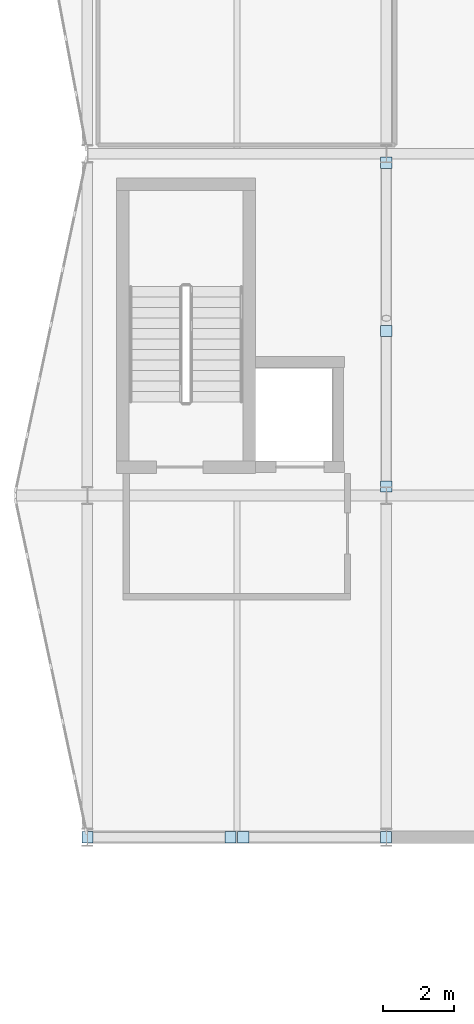
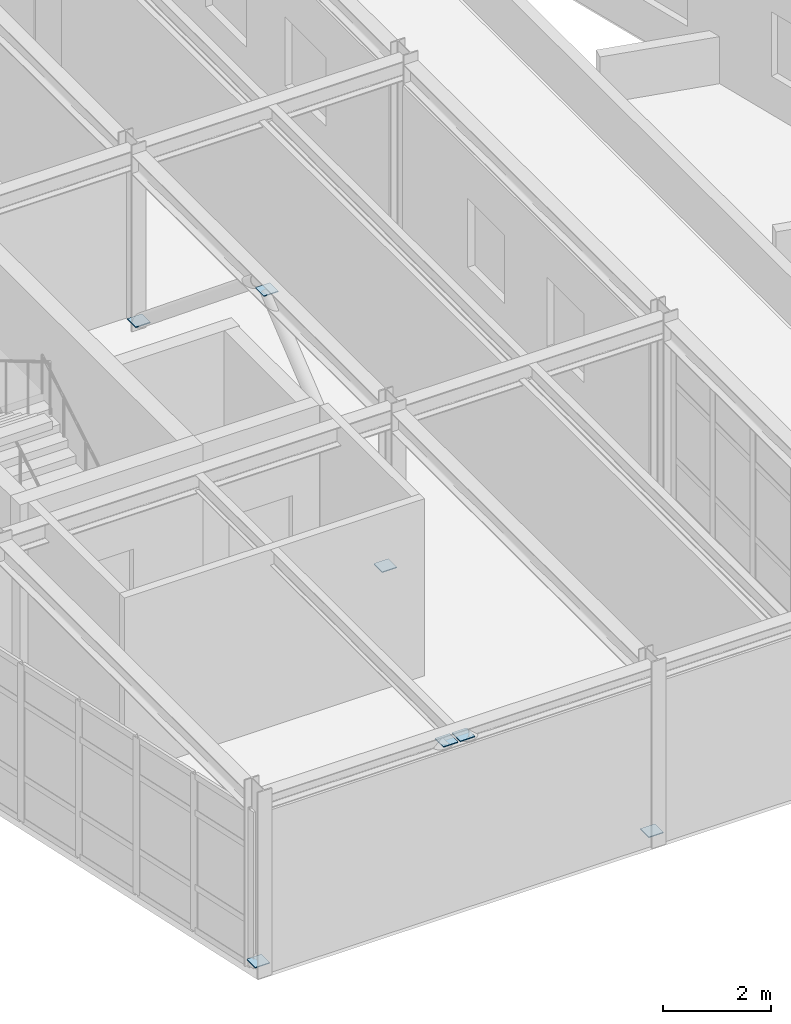
# One storey, part 52 of 64: 7 plates.
"""IFC4 building model written with IfcOpenShell, lengths in metres."""

from ifc_helpers import new_model, si_unit, direction, frame, origin, origin_2d, place, context, subcontext, project, spatial, rectangle, extrude, material, layer, layer_set, type_object, element, save


model = new_model("IFC4")

# Units and contexts
model_context = context("Model", 3, precision=1e-05, world=origin(), true_north=direction((0.0, 1.0)))
body_context = subcontext(model_context, "Body", "Model", "MODEL_VIEW")
ifc_project = project(units=[si_unit("LENGTHUNIT", "METRE"), si_unit("AREAUNIT", "SQUARE_METRE"), si_unit("VOLUMEUNIT", "CUBIC_METRE"), si_unit("PLANEANGLEUNIT", "RADIAN"), si_unit("MASSUNIT", "GRAM", prefix="KILO")], contexts=[model_context])

# Site, building, storey
site_placement = place(None, origin())
site = spatial("IfcSite", under=ifc_project, at=site_placement, CompositionType="ELEMENT")
building_placement = place(site_placement, origin())
building = spatial("IfcBuilding", under=site, at=building_placement, Name="Nordkorset Police Headquarters", CompositionType="ELEMENT")
storey_placement = place(building_placement, frame((0.0, 0.0, 17.85009765625)))
storey = spatial("IfcBuildingStorey", under=building, at=storey_placement, Name="L04", CompositionType="ELEMENT", Elevation=17.85009765625)

# Plates
ifc_material = material(Name="Steel S355J2", Category="steel")
ifc_layer = layer(ifc_material, 0.02001953125, Name="Steel S355J2")
ifc_layer_set = layer_set([ifc_layer], Name="Steel S355J2")
plate_type = type_object("IfcPlateType", Name="SteelPlate_20mm", PredefinedType="SHEET", material=ifc_layer_set)
for number, where, z_axis, x_axis, name in (
    (1, (8.39990234375, 38.64990234375, 0.18994140625), (0.0, 0.0, 1.0), (1.0, 0.0, 0.0), "Hollow Section End Cap Plate BF-V3-A-L04-D1-0"),
    (2, (8.39990234375, 43.02001953125, 3.760009765625), (0.0, 0.0, 1.0), (1.0, 0.0, 0.0), "Hollow Section End Cap Plate BF-V3-A-L04-D1-1"),
    (3, (8.39990234375, 47.75, 0.18994140625), (0.0, 0.0, 1.0), (1.0, 0.0, 0.0), "Hollow Section End Cap Plate BF-V3-A-L04-D2-0"),
    (4, (0.00732421875, 28.800048828125, 0.18994140625), (0.0, 0.0, 1.0), (1.0, 0.0, 0.0), "Hollow Section End Cap Plate BF-EXT-V3S-L04-D1-0"),
    (5, (4.02001953125, 28.800048828125, 3.760009765625), (0.0, 0.0, 1.0), (1.0, 0.0, 0.0), "Hollow Section End Cap Plate BF-EXT-V3S-L04-D1-1"),
    (6, (8.392578125, 28.800048828125, 0.18994140625), (0.0, 0.0, 1.0), (1.0, 0.0, 0.0), "Hollow Section End Cap Plate BF-EXT-V3S-L04-D2-0"),
    (7, (4.3798828125, 28.800048828125, 3.760009765625), (0.0, 0.0, 1.0), (1.0, 0.0, 0.0), "Hollow Section End Cap Plate BF-EXT-V3S-L04-D2-1"),
):
    element("IfcPlate", number, at=place(storey_placement, frame(where, z_axis=z_axis, x_axis=x_axis)), inside=storey, type_object=plate_type, Name=name, PredefinedType="SHEET", context=body_context, shape_type="SweptSolid", body=[
        extrude(rectangle(XDim=0.31298828125, YDim=0.31298828125, at=origin_2d()), origin(), (0.0, 0.0, 1.0), 0.02001953125),
    ])

save(model, "model.ifc")
